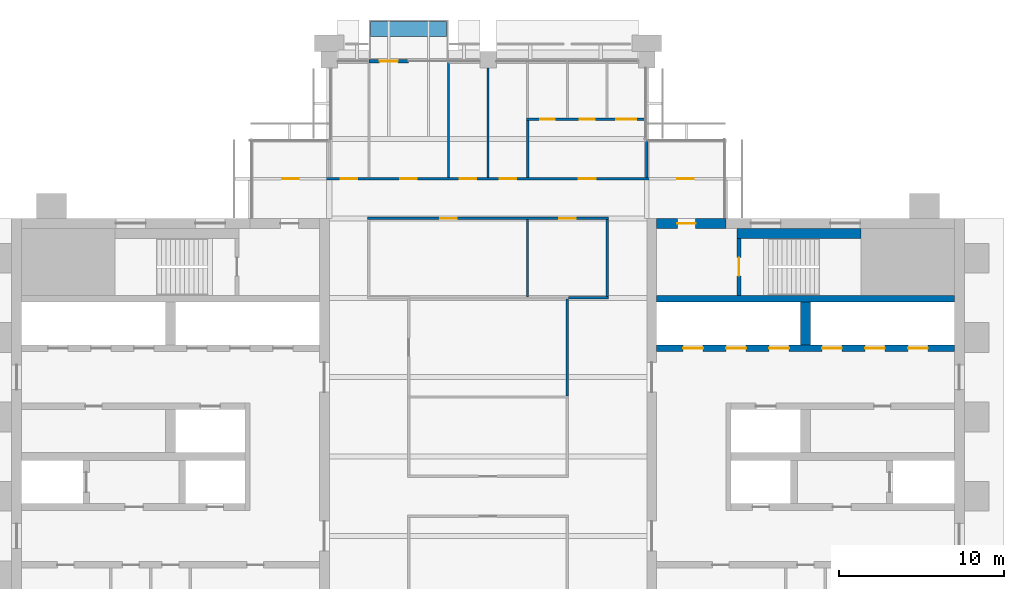
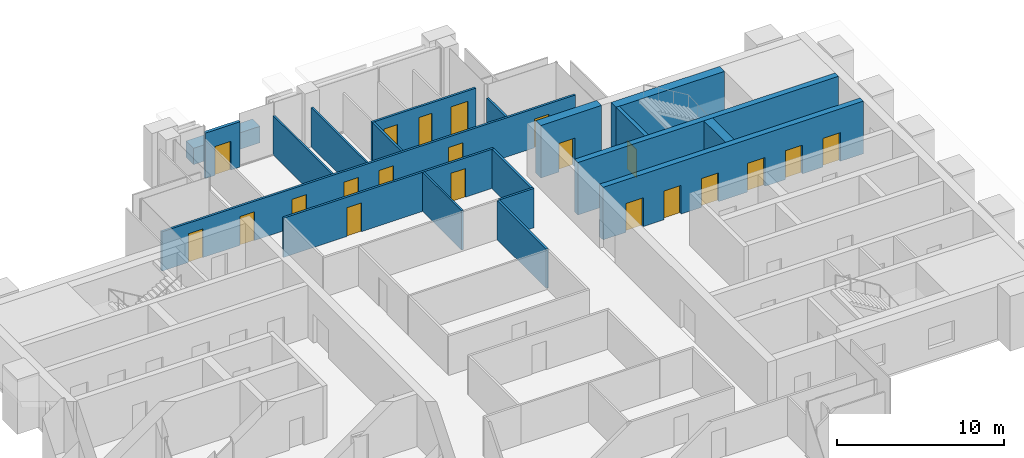
# One storey, part 11 of 13: 21 doors, 19 walls, 21 openings.
"""IFC4 building model written with IfcOpenShell, lengths in metres."""

from ifc_helpers import new_model, si_unit, direction, frame, frame_2d, origin, place, context, subcontext, project, spatial, rectangle, extrude, material, layer, layer_set, type_object, element, fill, save


model = new_model("IFC4")

# Units and contexts
model_context = context("Model", 3, precision=1e-05, world=origin(), true_north=direction((0.0, 1.0)))
body_context = subcontext(model_context, "Body", "Model", "MODEL_VIEW")
ifc_project = project(units=[si_unit("LENGTHUNIT", "METRE"), si_unit("AREAUNIT", "SQUARE_METRE"), si_unit("VOLUMEUNIT", "CUBIC_METRE"), si_unit("PLANEANGLEUNIT", "RADIAN"), si_unit("MASSUNIT", "GRAM", prefix="KILO")], contexts=[model_context])

# Site, building, storey
site_placement = place(None, origin())
site = spatial("IfcSite", under=ifc_project, at=site_placement, CompositionType="ELEMENT")
building_placement = place(site_placement, origin())
building = spatial("IfcBuilding", under=site, at=building_placement, Name="Baori Bourse Tower", CompositionType="ELEMENT")
storey_placement = place(building_placement, frame((0.0, 0.0, 314.300048828125)))
storey = spatial("IfcBuildingStorey", under=building, at=storey_placement, Name="L69", CompositionType="ELEMENT", Elevation=314.300048828125)

# Wall, opening, door
ifc_material_1 = material(Name="Concrete f'c 40 MPa", Category="concrete")
ifc_layer_1 = layer(ifc_material_1, 0.60009765625)
ifc_layer_set_1 = layer_set([ifc_layer_1], Name="Core wall 600 f'c 40")
wall_type_1 = type_object("IfcWallType", Name="Core wall 600 f'c 40", PredefinedType="SHEAR", material=ifc_layer_set_1)
wall_1_placement = place(storey_placement, frame((39.0, 38.10009765625, 0.0), z_axis=(0.0, 0.0, 1.0), x_axis=(1.0, 0.0, 0.0)))
wall_1 = element("IfcWall", 1, at=wall_1_placement, inside=storey, type_object=wall_type_1, Name="Core wall E27", PredefinedType="SHEAR", context=body_context, shape_type="SweptSolid", body=[
    extrude(rectangle(XDim=4.199951171875, YDim=0.60009765625, at=frame_2d((2.10009765625, 0.0))), origin(), (0.0, 0.0, 1.0), 3.83984375),
])
opening_1_placement = place(wall_1_placement, frame((1.25, 0.0, 0.0)))
opening_1 = element("IfcOpeningElement", 2, at=opening_1_placement, cuts=wall_1, Name="Opening L69-D204", PredefinedType="OPENING", context=body_context, shape_type="SweptSolid", body=[
    extrude(rectangle(XDim=1.10009765625, YDim=2.10009765625, at=frame_2d((0.550048828125, 1.050048828125))), frame((0.0, 0.31005859375, 0.0), z_axis=(0.0, -1.0, 0.0), x_axis=(1.0, 0.0, 0.0)), (0.0, 0.0, 1.0), 0.6201171875),
])
ifc_material_2 = material(Name="Painted steel door", Category="steel")
door_type_1 = type_object("IfcDoorType", Name="Stair door 1100", OperationType="SINGLE_SWING_LEFT", PredefinedType="DOOR", material=ifc_material_2)
door_1_placement = place(opening_1_placement, origin())
door_1 = element("IfcDoor", 3, at=door_1_placement, inside=storey, type_object=door_type_1, Name="Stair vestibule door B E L69", OperationType="SINGLE_SWING_LEFT", OverallHeight=2.10009765625, OverallWidth=1.10009765625, PredefinedType="DOOR", context=body_context, shape_type="SweptSolid", body=[
    extrude(rectangle(XDim=1.10009765625, YDim=2.10009765625, at=frame_2d((0.550048828125, 1.050048828125))), frame((0.0, 0.02490234375, 0.0), z_axis=(0.0, -1.0, 0.0), x_axis=(1.0, 0.0, 0.0)), (0.0, 0.0, 1.0), 0.050048828125),
])
fill(opening_1, door_1)

# Wall
ifc_material_3 = material(Name="Gypsum board partition")
ifc_layer_2 = layer(ifc_material_3, 0.14990234375)
ifc_layer_set_2 = layer_set([ifc_layer_2], Name="Corridor partition 150")
wall_type_2 = type_object("IfcWallType", Name="Corridor partition 150", PredefinedType="PARTITIONING", material=ifc_layer_set_2)
wall_2_placement = place(storey_placement, frame((33.675048828125, 33.60009765625, 0.0), z_axis=(0.0, 0.0, 1.0), x_axis=(1.0, 0.0, 0.0)))
element("IfcWall", 4, at=wall_2_placement, inside=storey, type_object=wall_type_2, Name="Partition", PredefinedType="PARTITIONING", context=body_context, shape_type="SweptSolid", body=[
    extrude(rectangle(XDim=2.39990234375, YDim=0.14990234375, at=frame_2d((1.199951171875, 0.0))), origin(), (0.0, 0.0, 1.0), 2.86962890625),
])

# Wall, openings, doors
wall_3_placement = place(storey_placement, frame((21.52490234375, 38.39990234375, 0.0), z_axis=(0.0, 0.0, 1.0), x_axis=(1.0, 0.0, 0.0)))
wall_3 = element("IfcWall", 5, at=wall_3_placement, inside=storey, type_object=wall_type_2, Name="Partition", PredefinedType="PARTITIONING", context=body_context, shape_type="SweptSolid", body=[
    extrude(rectangle(XDim=14.550048828125, YDim=0.14990234375, at=frame_2d((7.27490234375, 0.0))), origin(), (0.0, 0.0, 1.0), 2.86962890625),
])
opening_2_placement = place(wall_3_placement, frame((4.375, 0.0, 0.0)))
opening_2 = element("IfcOpeningElement", 6, at=opening_2_placement, cuts=wall_3, Name="Opening L69-D11", PredefinedType="OPENING", context=body_context, shape_type="SweptSolid", body=[
    extrude(rectangle(XDim=1.0, YDim=2.10009765625, at=frame_2d((0.5, 1.050048828125))), frame((0.0, 0.0849609375, 0.0), z_axis=(0.0, -1.0, 0.0), x_axis=(1.0, 0.0, 0.0)), (0.0, 0.0, 1.0), 0.169921875),
])
opening_3_placement = place(wall_3_placement, frame((11.574951171875, 0.0, 0.0)))
opening_3 = element("IfcOpeningElement", 7, at=opening_3_placement, cuts=wall_3, Name="Opening L69-D12", PredefinedType="OPENING", context=body_context, shape_type="SweptSolid", body=[
    extrude(rectangle(XDim=1.0, YDim=2.10009765625, at=frame_2d((0.5, 1.050048828125))), frame((0.0, 0.0849609375, 0.0), z_axis=(0.0, -1.0, 0.0), x_axis=(1.0, 0.0, 0.0)), (0.0, 0.0, 1.0), 0.169921875),
])
ifc_material_4 = material(Name="Timber door leaf", Category="wood")
door_type_2 = type_object("IfcDoorType", Name="Door 1000 x 2100", OperationType="SINGLE_SWING_LEFT", PredefinedType="DOOR", material=ifc_material_4)
door_2_placement = place(opening_2_placement, origin())
door_2 = element("IfcDoor", 8, at=door_2_placement, inside=storey, type_object=door_type_2, Name="Door", OperationType="SINGLE_SWING_LEFT", OverallHeight=2.10009765625, OverallWidth=1.0, PredefinedType="DOOR", context=body_context, shape_type="SweptSolid", body=[
    extrude(rectangle(XDim=1.0, YDim=2.10009765625, at=frame_2d((0.5, 1.050048828125))), frame((0.0, 0.02490234375, 0.0), z_axis=(0.0, -1.0, 0.0), x_axis=(1.0, 0.0, 0.0)), (0.0, 0.0, 1.0), 0.050048828125),
])
fill(opening_2, door_2)
door_3_placement = place(opening_3_placement, origin())
door_3 = element("IfcDoor", 9, at=door_3_placement, inside=storey, type_object=door_type_2, Name="Door", OperationType="SINGLE_SWING_RIGHT", OverallHeight=2.10009765625, OverallWidth=1.0, PredefinedType="DOOR", context=body_context, shape_type="SweptSolid", body=[
    extrude(rectangle(XDim=1.0, YDim=2.10009765625, at=frame_2d((0.5, 1.050048828125))), frame((0.0, 0.02490234375, 0.0), z_axis=(0.0, -1.0, 0.0), x_axis=(1.0, 0.0, 0.0)), (0.0, 0.0, 1.0), 0.050048828125),
])
fill(opening_3, door_3)

wall_4_placement = place(storey_placement, frame((14.5, 40.800048828125, 0.0), z_axis=(0.0, 0.0, 1.0), x_axis=(1.0, 0.0, 0.0)))
wall_4 = element("IfcWall", 10, at=wall_4_placement, inside=storey, type_object=wall_type_2, Name="Partition", PredefinedType="PARTITIONING", context=body_context, shape_type="SweptSolid", body=[
    extrude(rectangle(XDim=28.60009765625, YDim=0.14990234375, at=frame_2d((14.300048828125, 0.0))), origin(), (0.0, 0.0, 1.0), 2.86962890625),
])
opening_4_placement = place(wall_4_placement, frame((1.85009765625, 0.0, 0.0)))
opening_4 = element("IfcOpeningElement", 11, at=opening_4_placement, cuts=wall_4, Name="Opening L69-D13", PredefinedType="OPENING", context=body_context, shape_type="SweptSolid", body=[
    extrude(rectangle(XDim=1.0, YDim=2.10009765625, at=frame_2d((0.5, 1.050048828125))), frame((0.0, 0.0849609375, 0.0), z_axis=(0.0, -1.0, 0.0), x_axis=(1.0, 0.0, 0.0)), (0.0, 0.0, 1.0), 0.169921875),
])
opening_5_placement = place(wall_4_placement, frame((5.39990234375, 0.0, 0.0)))
opening_5 = element("IfcOpeningElement", 12, at=opening_5_placement, cuts=wall_4, Name="Opening L69-D14", PredefinedType="OPENING", context=body_context, shape_type="SweptSolid", body=[
    extrude(rectangle(XDim=1.0, YDim=2.10009765625, at=frame_2d((0.5, 1.050048828125))), frame((0.0, 0.0849609375, 0.0), z_axis=(0.0, -1.0, 0.0), x_axis=(1.0, 0.0, 0.0)), (0.0, 0.0, 1.0), 0.169921875),
])
opening_6_placement = place(wall_4_placement, frame((9.0, 0.0, 0.0)))
opening_6 = element("IfcOpeningElement", 13, at=opening_6_placement, cuts=wall_4, Name="Opening L69-D15", PredefinedType="OPENING", context=body_context, shape_type="SweptSolid", body=[
    extrude(rectangle(XDim=1.0, YDim=2.10009765625, at=frame_2d((0.5, 1.050048828125))), frame((0.0, 0.0849609375, 0.0), z_axis=(0.0, -1.0, 0.0), x_axis=(1.0, 0.0, 0.0)), (0.0, 0.0, 1.0), 0.169921875),
])
opening_7_placement = place(wall_4_placement, frame((12.60009765625, 0.0, 0.0)))
opening_7 = element("IfcOpeningElement", 14, at=opening_7_placement, cuts=wall_4, Name="Opening L69-D16", PredefinedType="OPENING", context=body_context, shape_type="SweptSolid", body=[
    extrude(rectangle(XDim=1.0, YDim=2.10009765625, at=frame_2d((0.5, 1.050048828125))), frame((0.0, 0.0849609375, 0.0), z_axis=(0.0, -1.0, 0.0), x_axis=(1.0, 0.0, 0.0)), (0.0, 0.0, 1.0), 0.169921875),
])
opening_8_placement = place(wall_4_placement, frame((15.0, 0.0, 0.0)))
opening_8 = element("IfcOpeningElement", 15, at=opening_8_placement, cuts=wall_4, Name="Opening L69-D17", PredefinedType="OPENING", context=body_context, shape_type="SweptSolid", body=[
    extrude(rectangle(XDim=1.0, YDim=2.10009765625, at=frame_2d((0.5, 1.050048828125))), frame((0.0, 0.0849609375, 0.0), z_axis=(0.0, -1.0, 0.0), x_axis=(1.0, 0.0, 0.0)), (0.0, 0.0, 1.0), 0.169921875),
])
opening_9_placement = place(wall_4_placement, frame((19.800048828125, 0.0, 0.0)))
opening_9 = element("IfcOpeningElement", 16, at=opening_9_placement, cuts=wall_4, Name="Opening L69-D18", PredefinedType="OPENING", context=body_context, shape_type="SweptSolid", body=[
    extrude(rectangle(XDim=1.0, YDim=2.10009765625, at=frame_2d((0.5, 1.050048828125))), frame((0.0, 0.0849609375, 0.0), z_axis=(0.0, -1.0, 0.0), x_axis=(1.0, 0.0, 0.0)), (0.0, 0.0, 1.0), 0.169921875),
])
opening_10_placement = place(wall_4_placement, frame((25.75, 0.0, 0.0)))
opening_10 = element("IfcOpeningElement", 17, at=opening_10_placement, cuts=wall_4, Name="Opening L69-D19", PredefinedType="OPENING", context=body_context, shape_type="SweptSolid", body=[
    extrude(rectangle(XDim=1.0, YDim=2.10009765625, at=frame_2d((0.5, 1.050048828125))), frame((0.0, 0.0849609375, 0.0), z_axis=(0.0, -1.0, 0.0), x_axis=(1.0, 0.0, 0.0)), (0.0, 0.0, 1.0), 0.169921875),
])
door_4_placement = place(opening_4_placement, origin())
door_4 = element("IfcDoor", 18, at=door_4_placement, inside=storey, type_object=door_type_2, Name="Door", OperationType="SINGLE_SWING_RIGHT", OverallHeight=2.10009765625, OverallWidth=1.0, PredefinedType="DOOR", context=body_context, shape_type="SweptSolid", body=[
    extrude(rectangle(XDim=1.0, YDim=2.10009765625, at=frame_2d((0.5, 1.050048828125))), frame((0.0, 0.02490234375, 0.0), z_axis=(0.0, -1.0, 0.0), x_axis=(1.0, 0.0, 0.0)), (0.0, 0.0, 1.0), 0.050048828125),
])
fill(opening_4, door_4)
door_5_placement = place(opening_5_placement, origin())
door_5 = element("IfcDoor", 19, at=door_5_placement, inside=storey, type_object=door_type_2, Name="Door", OperationType="SINGLE_SWING_RIGHT", OverallHeight=2.10009765625, OverallWidth=1.0, PredefinedType="DOOR", context=body_context, shape_type="SweptSolid", body=[
    extrude(rectangle(XDim=1.0, YDim=2.10009765625, at=frame_2d((0.5, 1.050048828125))), frame((0.0, 0.02490234375, 0.0), z_axis=(0.0, -1.0, 0.0), x_axis=(1.0, 0.0, 0.0)), (0.0, 0.0, 1.0), 0.050048828125),
])
fill(opening_5, door_5)
door_6_placement = place(opening_6_placement, origin())
door_6 = element("IfcDoor", 20, at=door_6_placement, inside=storey, type_object=door_type_2, Name="Door", OperationType="SINGLE_SWING_RIGHT", OverallHeight=2.10009765625, OverallWidth=1.0, PredefinedType="DOOR", context=body_context, shape_type="SweptSolid", body=[
    extrude(rectangle(XDim=1.0, YDim=2.10009765625, at=frame_2d((0.5, 1.050048828125))), frame((0.0, 0.02490234375, 0.0), z_axis=(0.0, -1.0, 0.0), x_axis=(1.0, 0.0, 0.0)), (0.0, 0.0, 1.0), 0.050048828125),
])
fill(opening_6, door_6)
door_7_placement = place(opening_7_placement, origin())
door_7 = element("IfcDoor", 21, at=door_7_placement, inside=storey, type_object=door_type_2, Name="Door", OperationType="SINGLE_SWING_RIGHT", OverallHeight=2.10009765625, OverallWidth=1.0, PredefinedType="DOOR", context=body_context, shape_type="SweptSolid", body=[
    extrude(rectangle(XDim=1.0, YDim=2.10009765625, at=frame_2d((0.5, 1.050048828125))), frame((0.0, 0.02490234375, 0.0), z_axis=(0.0, -1.0, 0.0), x_axis=(1.0, 0.0, 0.0)), (0.0, 0.0, 1.0), 0.050048828125),
])
fill(opening_7, door_7)
door_8_placement = place(opening_8_placement, origin())
door_8 = element("IfcDoor", 22, at=door_8_placement, inside=storey, type_object=door_type_2, Name="Door", OperationType="SINGLE_SWING_LEFT", OverallHeight=2.10009765625, OverallWidth=1.0, PredefinedType="DOOR", context=body_context, shape_type="SweptSolid", body=[
    extrude(rectangle(XDim=1.0, YDim=2.10009765625, at=frame_2d((0.5, 1.050048828125))), frame((0.0, 0.02490234375, 0.0), z_axis=(0.0, -1.0, 0.0), x_axis=(1.0, 0.0, 0.0)), (0.0, 0.0, 1.0), 0.050048828125),
])
fill(opening_8, door_8)
door_9_placement = place(opening_9_placement, origin())
door_9 = element("IfcDoor", 23, at=door_9_placement, inside=storey, type_object=door_type_2, Name="Door", OperationType="SINGLE_SWING_RIGHT", OverallHeight=2.10009765625, OverallWidth=1.0, PredefinedType="DOOR", context=body_context, shape_type="SweptSolid", body=[
    extrude(rectangle(XDim=1.0, YDim=2.10009765625, at=frame_2d((0.5, 1.050048828125))), frame((0.0, 0.02490234375, 0.0), z_axis=(0.0, -1.0, 0.0), x_axis=(1.0, 0.0, 0.0)), (0.0, 0.0, 1.0), 0.050048828125),
])
fill(opening_9, door_9)
door_10_placement = place(opening_10_placement, origin())
door_10 = element("IfcDoor", 24, at=door_10_placement, inside=storey, type_object=door_type_2, Name="Door", OperationType="SINGLE_SWING_LEFT", OverallHeight=2.10009765625, OverallWidth=1.0, PredefinedType="DOOR", context=body_context, shape_type="SweptSolid", body=[
    extrude(rectangle(XDim=1.0, YDim=2.10009765625, at=frame_2d((0.5, 1.050048828125))), frame((0.0, 0.02490234375, 0.0), z_axis=(0.0, -1.0, 0.0), x_axis=(1.0, 0.0, 0.0)), (0.0, 0.0, 1.0), 0.050048828125),
])
fill(opening_10, door_10)

wall_5_placement = place(storey_placement, frame((31.125, 44.39990234375, 0.0), z_axis=(0.0, 0.0, 1.0), x_axis=(1.0, 0.0, 0.0)))
wall_5 = element("IfcWall", 25, at=wall_5_placement, inside=storey, type_object=wall_type_2, Name="Partition", PredefinedType="PARTITIONING", context=body_context, shape_type="SweptSolid", body=[
    extrude(rectangle(XDim=7.175048828125, YDim=0.14990234375, at=frame_2d((3.58740234375, 0.0))), origin(), (0.0, 0.0, 1.0), 2.86962890625),
])
opening_11_placement = place(wall_5_placement, frame((0.824951171875, 0.0, 0.0)))
opening_11 = element("IfcOpeningElement", 26, at=opening_11_placement, cuts=wall_5, Name="Opening L69-D20", PredefinedType="OPENING", context=body_context, shape_type="SweptSolid", body=[
    extrude(rectangle(XDim=0.89990234375, YDim=2.10009765625, at=frame_2d((0.449951171875, 1.050048828125))), frame((0.0, 0.0849609375, 0.0), z_axis=(0.0, -1.0, 0.0), x_axis=(1.0, 0.0, 0.0)), (0.0, 0.0, 1.0), 0.169921875),
])
opening_12_placement = place(wall_5_placement, frame((3.22509765625, 0.0, 0.0)))
opening_12 = element("IfcOpeningElement", 27, at=opening_12_placement, cuts=wall_5, Name="Opening L69-D21", PredefinedType="OPENING", context=body_context, shape_type="SweptSolid", body=[
    extrude(rectangle(XDim=0.89990234375, YDim=2.10009765625, at=frame_2d((0.449951171875, 1.050048828125))), frame((0.0, 0.0849609375, 0.0), z_axis=(0.0, -1.0, 0.0), x_axis=(1.0, 0.0, 0.0)), (0.0, 0.0, 1.0), 0.169921875),
])
opening_13_placement = place(wall_5_placement, frame((5.425048828125, 0.0, 0.0)))
opening_13 = element("IfcOpeningElement", 28, at=opening_13_placement, cuts=wall_5, Name="Opening L69-D22", PredefinedType="OPENING", context=body_context, shape_type="SweptSolid", body=[
    extrude(rectangle(XDim=1.199951171875, YDim=2.10009765625, at=frame_2d((0.60009765625, 1.050048828125))), frame((0.0, 0.0849609375, 0.0), z_axis=(0.0, -1.0, 0.0), x_axis=(1.0, 0.0, 0.0)), (0.0, 0.0, 1.0), 0.169921875),
])
ifc_material_5 = material(Name="Timber door leaf", Category="wood")
door_type_3 = type_object("IfcDoorType", Name="Door 1200 x 2100", OperationType="SINGLE_SWING_LEFT", PredefinedType="DOOR", material=ifc_material_5)
door_11_placement = place(opening_13_placement, origin())
door_11 = element("IfcDoor", 29, at=door_11_placement, inside=storey, type_object=door_type_3, Name="Door", OperationType="SINGLE_SWING_LEFT", OverallHeight=2.10009765625, OverallWidth=1.199951171875, PredefinedType="DOOR", context=body_context, shape_type="SweptSolid", body=[
    extrude(rectangle(XDim=1.199951171875, YDim=2.10009765625, at=frame_2d((0.60009765625, 1.050048828125))), frame((0.0, 0.02490234375, 0.0), z_axis=(0.0, -1.0, 0.0), x_axis=(1.0, 0.0, 0.0)), (0.0, 0.0, 1.0), 0.050048828125),
])
fill(opening_13, door_11)
ifc_material_6 = material(Name="Timber door leaf", Category="wood")
door_type_4 = type_object("IfcDoorType", Name="Door 900 x 2100", OperationType="SINGLE_SWING_LEFT", PredefinedType="DOOR", material=ifc_material_6)
door_12_placement = place(opening_11_placement, origin())
door_12 = element("IfcDoor", 30, at=door_12_placement, inside=storey, type_object=door_type_4, Name="Door", OperationType="SINGLE_SWING_RIGHT", OverallHeight=2.10009765625, OverallWidth=0.89990234375, PredefinedType="DOOR", context=body_context, shape_type="SweptSolid", body=[
    extrude(rectangle(XDim=0.89990234375, YDim=2.10009765625, at=frame_2d((0.449951171875, 1.050048828125))), frame((0.0, 0.02490234375, 0.0), z_axis=(0.0, -1.0, 0.0), x_axis=(1.0, 0.0, 0.0)), (0.0, 0.0, 1.0), 0.050048828125),
])
fill(opening_11, door_12)
door_13_placement = place(opening_12_placement, origin())
door_13 = element("IfcDoor", 31, at=door_13_placement, inside=storey, type_object=door_type_4, Name="Door", OperationType="SINGLE_SWING_LEFT", OverallHeight=2.10009765625, OverallWidth=0.89990234375, PredefinedType="DOOR", context=body_context, shape_type="SweptSolid", body=[
    extrude(rectangle(XDim=0.89990234375, YDim=2.10009765625, at=frame_2d((0.449951171875, 1.050048828125))), frame((0.0, 0.02490234375, 0.0), z_axis=(0.0, -1.0, 0.0), x_axis=(1.0, 0.0, 0.0)), (0.0, 0.0, 1.0), 0.050048828125),
])
fill(opening_12, door_13)

# Walls
wall_6_placement = place(storey_placement, frame((31.199951171875, 40.875, 0.0), z_axis=(0.0, 0.0, 1.0), x_axis=(0.0, 1.0, 0.0)))
element("IfcWall", 32, at=wall_6_placement, inside=storey, type_object=wall_type_2, Name="Partition", PredefinedType="PARTITIONING", context=body_context, shape_type="SweptSolid", body=[
    extrude(rectangle(XDim=3.449951171875, YDim=0.14990234375, at=frame_2d((1.72509765625, 0.0))), origin(), (0.0, 0.0, 1.0), 2.86962890625),
])
wall_7_placement = place(storey_placement, frame((33.60009765625, 27.66259765625, 0.0), z_axis=(0.0, 0.0, 1.0), x_axis=(0.0, 1.0, 0.0)))
element("IfcWall", 33, at=wall_7_placement, inside=storey, type_object=wall_type_2, Name="Partition", PredefinedType="PARTITIONING", context=body_context, shape_type="SweptSolid", body=[
    extrude(rectangle(XDim=5.8623046875, YDim=0.14990234375, at=frame_2d((2.93115234375, 0.0))), origin(), (0.0, 0.0, 1.0), 2.86962890625),
])
wall_8_placement = place(storey_placement, frame((36.0, 33.675048828125, 0.0), z_axis=(0.0, 0.0, 1.0), x_axis=(0.0, 1.0, 0.0)))
element("IfcWall", 34, at=wall_8_placement, inside=storey, type_object=wall_type_2, Name="Partition", PredefinedType="PARTITIONING", context=body_context, shape_type="SweptSolid", body=[
    extrude(rectangle(XDim=4.64990234375, YDim=0.14990234375, at=frame_2d((2.324951171875, 0.0))), origin(), (0.0, 0.0, 1.0), 2.86962890625),
])
wall_9_placement = place(storey_placement, frame((38.39990234375, 40.875, 0.0), z_axis=(0.0, 0.0, 1.0), x_axis=(0.0, 1.0, 0.0)))
element("IfcWall", 35, at=wall_9_placement, inside=storey, type_object=wall_type_2, Name="Partition", PredefinedType="PARTITIONING", context=body_context, shape_type="SweptSolid", body=[
    extrude(rectangle(XDim=2.22509765625, YDim=0.14990234375, at=frame_2d((1.112548828125, 0.0))), origin(), (0.0, 0.0, 1.0), 2.86962890625),
])

# Wall, opening, door
ifc_material_7 = material(Name="Pale anodised aluminium", Category="aluminium")
ifc_layer_3 = layer(ifc_material_7, 0.199951171875)
ifc_layer_set_3 = layer_set([ifc_layer_3], Name="EW1 External wall bay")
wall_type_3 = type_object("IfcWallType", Name="EW1 External wall bay", PredefinedType="SOLIDWALL", material=ifc_layer_set_3)
wall_10_placement = place(storey_placement, frame((24.0, 47.89990234375, 0.0), z_axis=(0.0, 0.0, 1.0), x_axis=(-1.0, 0.0, 0.0)))
wall_10 = element("IfcWall", 36, at=wall_10_placement, inside=storey, type_object=wall_type_3, Name="External wall bay L69 1", PredefinedType="SOLIDWALL", context=body_context, shape_type="SweptSolid", body=[
    extrude(rectangle(XDim=2.39990234375, YDim=0.199951171875, at=frame_2d((1.199951171875, 0.0))), origin(), (0.0, 0.0, 1.0), 3.314208984375),
])
opening_14_placement = place(wall_10_placement, frame((0.64990234375, 0.0, 0.0)))
opening_14 = element("IfcOpeningElement", 37, at=opening_14_placement, cuts=wall_10, Name="Opening L69-D91", PredefinedType="OPENING", context=body_context, shape_type="SweptSolid", body=[
    extrude(rectangle(XDim=1.10009765625, YDim=2.10009765625, at=frame_2d((0.550048828125, 1.050048828125))), frame((0.0, 0.10986328125, 0.0), z_axis=(0.0, -1.0, 0.0), x_axis=(1.0, 0.0, 0.0)), (0.0, 0.0, 1.0), 0.219970703125),
])
ifc_material_8 = material(Name="Pale anodised aluminium", Category="aluminium")
door_type_5 = type_object("IfcDoorType", Name="BL1 Balcony door", OperationType="SINGLE_SWING_LEFT", PredefinedType="DOOR", material=ifc_material_8)
door_14_placement = place(opening_14_placement, origin())
door_14 = element("IfcDoor", 38, at=door_14_placement, inside=storey, type_object=door_type_5, Name="Balcony door L69 1", OperationType="SINGLE_SWING_LEFT", OverallHeight=2.10009765625, OverallWidth=1.10009765625, PredefinedType="DOOR", context=body_context, shape_type="SweptSolid", body=[
    extrude(rectangle(XDim=1.10009765625, YDim=2.10009765625, at=frame_2d((0.550048828125, 1.050048828125))), frame((0.0, 0.02490234375, 0.0), z_axis=(0.0, -1.0, 0.0), x_axis=(1.0, 0.0, 0.0)), (0.0, 0.0, 1.0), 0.050048828125),
])
fill(opening_14, door_14)

# Walls
ifc_material_9 = material(Name="Concrete f'c 40 MPa", Category="concrete")
ifc_layer_4 = layer(ifc_material_9, 0.89990234375)
ifc_layer_set_4 = layer_set([ifc_layer_4], Name="PW1 Planter wall")
wall_type_4 = type_object("IfcWallType", Name="PW1 Planter wall", PredefinedType="USERDEFINED", material=ifc_layer_set_4)
wall_11_placement = place(storey_placement, frame((21.699951171875, 49.85009765625, 0.0), z_axis=(0.0, 0.0, 1.0), x_axis=(1.0, 0.0, 0.0)))
element("IfcWall", 39, at=wall_11_placement, inside=storey, type_object=wall_type_4, Name="Planter balcony N L69 2", ObjectType="PLANTER", PredefinedType="USERDEFINED", context=body_context, shape_type="SweptSolid", body=[
    extrude(rectangle(XDim=4.60009765625, YDim=0.89990234375, at=frame_2d((2.300048828125, 0.0))), origin(), (0.0, 0.0, 1.0), 1.199951171875),
])
ifc_material_10 = material(Name="Gypsum board partition")
ifc_layer_5 = layer(ifc_material_10, 0.125)
ifc_layer_set_5 = layer_set([ifc_layer_5], Name="Partition 125")
wall_type_5 = type_object("IfcWallType", Name="Partition 125", PredefinedType="PARTITIONING", material=ifc_layer_set_5)
wall_12_placement = place(storey_placement, frame((26.39990234375, 40.875, 0.0), z_axis=(0.0, 0.0, 1.0), x_axis=(0.0, 1.0, 0.0)))
element("IfcWall", 40, at=wall_12_placement, inside=storey, type_object=wall_type_5, Name="Partition", PredefinedType="PARTITIONING", context=body_context, shape_type="SweptSolid", body=[
    extrude(rectangle(XDim=7.02490234375, YDim=0.125, at=frame_2d((3.512451171875, 0.0))), origin(), (0.0, 0.0, 1.0), 2.86962890625),
])
wall_13_placement = place(storey_placement, frame((28.800048828125, 40.875, 0.0), z_axis=(0.0, 0.0, 1.0), x_axis=(0.0, 1.0, 0.0)))
element("IfcWall", 41, at=wall_13_placement, inside=storey, type_object=wall_type_5, Name="Partition", PredefinedType="PARTITIONING", context=body_context, shape_type="SweptSolid", body=[
    extrude(rectangle(XDim=6.625, YDim=0.125, at=frame_2d((3.3125, 0.0))), origin(), (0.0, 0.0, 1.0), 2.86962890625),
])
wall_14_placement = place(storey_placement, frame((31.199951171875, 33.66259765625, 0.0), z_axis=(0.0, 0.0, 1.0), x_axis=(0.0, 1.0, 0.0)))
element("IfcWall", 42, at=wall_14_placement, inside=storey, type_object=wall_type_5, Name="Partition", PredefinedType="PARTITIONING", context=body_context, shape_type="SweptSolid", body=[
    extrude(rectangle(XDim=4.662353515625, YDim=0.125, at=frame_2d((2.3310546875, 0.0))), origin(), (0.0, 0.0, 1.0), 2.86962890625),
])

# Wall, opening, door
ifc_material_11 = material(Name="Concrete f'c 40 MPa", Category="concrete")
ifc_layer_6 = layer(ifc_material_11, 0.25)
ifc_layer_set_6 = layer_set([ifc_layer_6], Name="Shaft wall 250 f'c 40")
wall_type_6 = type_object("IfcWallType", Name="Shaft wall 250 f'c 40", PredefinedType="SHEAR", material=ifc_layer_set_6)
wall_15_placement = place(storey_placement, frame((43.97509765625, 33.75, 0.0), z_axis=(0.0, 0.0, 1.0), x_axis=(0.0, 1.0, 0.0)))
wall_15 = element("IfcWall", 43, at=wall_15_placement, inside=storey, type_object=wall_type_6, Name="Core wall E24", PredefinedType="SHEAR", context=body_context, shape_type="SweptSolid", body=[
    extrude(rectangle(XDim=3.449951171875, YDim=0.25, at=frame_2d((1.72509765625, 0.0))), origin(), (0.0, 0.0, 1.0), 3.83984375),
])
opening_15_placement = place(wall_15_placement, frame((1.175048828125, 0.0, 0.0)))
opening_15 = element("IfcOpeningElement", 44, at=opening_15_placement, cuts=wall_15, Name="Opening L69-D203", PredefinedType="OPENING", context=body_context, shape_type="SweptSolid", body=[
    extrude(rectangle(XDim=1.10009765625, YDim=2.10009765625, at=frame_2d((0.550048828125, 1.050048828125))), frame((0.0, 0.135009765625, 0.0), z_axis=(0.0, -1.0, 0.0), x_axis=(1.0, 0.0, 0.0)), (0.0, 0.0, 1.0), 0.27001953125),
])
door_15_placement = place(opening_15_placement, origin())
door_15 = element("IfcDoor", 45, at=door_15_placement, inside=storey, type_object=door_type_1, Name="Stair door B E L69", OperationType="SINGLE_SWING_LEFT", OverallHeight=2.10009765625, OverallWidth=1.10009765625, PredefinedType="DOOR", context=body_context, shape_type="SweptSolid", body=[
    extrude(rectangle(XDim=1.10009765625, YDim=2.10009765625, at=frame_2d((0.550048828125, 1.050048828125))), frame((0.0, 0.02490234375, 0.0), z_axis=(0.0, -1.0, 0.0), x_axis=(1.0, 0.0, 0.0)), (0.0, 0.0, 1.0), 0.050048828125),
])
fill(opening_15, door_15)

# Wall, openings, doors
ifc_material_12 = material(Name="Concrete f'c 40 MPa", Category="concrete")
ifc_layer_7 = layer(ifc_material_12, 0.39990234375)
ifc_layer_set_7 = layer_set([ifc_layer_7], Name="Shaft wall 400 f'c 40")
wall_type_7 = type_object("IfcWallType", Name="Shaft wall 400 f'c 40", PredefinedType="SHEAR", material=ifc_layer_set_7)
wall_16_placement = place(storey_placement, frame((39.0, 30.550048828125, 0.0), z_axis=(0.0, 0.0, 1.0), x_axis=(1.0, 0.0, 0.0)))
wall_16 = element("IfcWall", 46, at=wall_16_placement, inside=storey, type_object=wall_type_7, Name="Core wall E20", PredefinedType="SHEAR", context=body_context, shape_type="SweptSolid", body=[
    extrude(rectangle(XDim=18.0, YDim=0.39990234375, at=frame_2d((9.0, 0.0))), origin(), (0.0, 0.0, 1.0), 3.83984375),
])
opening_16_placement = place(wall_16_placement, frame((15.199951171875, 0.0, 0.0)))
opening_16 = element("IfcOpeningElement", 47, at=opening_16_placement, cuts=wall_16, Name="Opening L69-D214", PredefinedType="OPENING", context=body_context, shape_type="SweptSolid", body=[
    extrude(rectangle(XDim=1.199951171875, YDim=2.10009765625, at=frame_2d((0.60009765625, 1.050048828125))), frame((0.0, 0.2099609375, 0.0), z_axis=(0.0, -1.0, 0.0), x_axis=(1.0, 0.0, 0.0)), (0.0, 0.0, 1.0), 0.419921875),
])
opening_17_placement = place(wall_16_placement, frame((12.60009765625, 0.0, 0.0)))
opening_17 = element("IfcOpeningElement", 48, at=opening_17_placement, cuts=wall_16, Name="Opening L69-D215", PredefinedType="OPENING", context=body_context, shape_type="SweptSolid", body=[
    extrude(rectangle(XDim=1.199951171875, YDim=2.10009765625, at=frame_2d((0.60009765625, 1.050048828125))), frame((0.0, 0.2099609375, 0.0), z_axis=(0.0, -1.0, 0.0), x_axis=(1.0, 0.0, 0.0)), (0.0, 0.0, 1.0), 0.419921875),
])
opening_18_placement = place(wall_16_placement, frame((10.0, 0.0, 0.0)))
opening_18 = element("IfcOpeningElement", 49, at=opening_18_placement, cuts=wall_16, Name="Opening L69-D216", PredefinedType="OPENING", context=body_context, shape_type="SweptSolid", body=[
    extrude(rectangle(XDim=1.199951171875, YDim=2.10009765625, at=frame_2d((0.60009765625, 1.050048828125))), frame((0.0, 0.2099609375, 0.0), z_axis=(0.0, -1.0, 0.0), x_axis=(1.0, 0.0, 0.0)), (0.0, 0.0, 1.0), 0.419921875),
])
opening_19_placement = place(wall_16_placement, frame((6.800048828125, 0.0, 0.0)))
opening_19 = element("IfcOpeningElement", 50, at=opening_19_placement, cuts=wall_16, Name="Opening L69-D217", PredefinedType="OPENING", context=body_context, shape_type="SweptSolid", body=[
    extrude(rectangle(XDim=1.199951171875, YDim=2.10009765625, at=frame_2d((0.60009765625, 1.050048828125))), frame((0.0, 0.2099609375, 0.0), z_axis=(0.0, -1.0, 0.0), x_axis=(1.0, 0.0, 0.0)), (0.0, 0.0, 1.0), 0.419921875),
])
opening_20_placement = place(wall_16_placement, frame((4.199951171875, 0.0, 0.0)))
opening_20 = element("IfcOpeningElement", 51, at=opening_20_placement, cuts=wall_16, Name="Opening L69-D218", PredefinedType="OPENING", context=body_context, shape_type="SweptSolid", body=[
    extrude(rectangle(XDim=1.199951171875, YDim=2.10009765625, at=frame_2d((0.60009765625, 1.050048828125))), frame((0.0, 0.2099609375, 0.0), z_axis=(0.0, -1.0, 0.0), x_axis=(1.0, 0.0, 0.0)), (0.0, 0.0, 1.0), 0.419921875),
])
opening_21_placement = place(wall_16_placement, frame((1.60009765625, 0.0, 0.0)))
opening_21 = element("IfcOpeningElement", 52, at=opening_21_placement, cuts=wall_16, Name="Opening L69-D219", PredefinedType="OPENING", context=body_context, shape_type="SweptSolid", body=[
    extrude(rectangle(XDim=1.199951171875, YDim=2.10009765625, at=frame_2d((0.60009765625, 1.050048828125))), frame((0.0, 0.2099609375, 0.0), z_axis=(0.0, -1.0, 0.0), x_axis=(1.0, 0.0, 0.0)), (0.0, 0.0, 1.0), 0.419921875),
])
ifc_material_13 = material(Name="Stainless steel door", Category="steel")
door_type_6 = type_object("IfcDoorType", Name="Lift landing door", OperationType="DOUBLE_DOOR_SLIDING", PredefinedType="DOOR", material=ifc_material_13)
door_16_placement = place(opening_16_placement, origin())
door_16 = element("IfcDoor", 53, at=door_16_placement, inside=storey, type_object=door_type_6, Name="Lift landing door HR1 E L69", OperationType="DOUBLE_DOOR_SLIDING", OverallHeight=2.10009765625, OverallWidth=1.199951171875, PredefinedType="DOOR", context=body_context, shape_type="SweptSolid", body=[
    extrude(rectangle(XDim=1.199951171875, YDim=2.10009765625, at=frame_2d((0.60009765625, 1.050048828125))), frame((0.0, 0.02490234375, 0.0), z_axis=(0.0, -1.0, 0.0), x_axis=(1.0, 0.0, 0.0)), (0.0, 0.0, 1.0), 0.050048828125),
])
fill(opening_16, door_16)
door_17_placement = place(opening_17_placement, origin())
door_17 = element("IfcDoor", 54, at=door_17_placement, inside=storey, type_object=door_type_6, Name="Lift landing door HR2 E L69", OperationType="DOUBLE_DOOR_SLIDING", OverallHeight=2.10009765625, OverallWidth=1.199951171875, PredefinedType="DOOR", context=body_context, shape_type="SweptSolid", body=[
    extrude(rectangle(XDim=1.199951171875, YDim=2.10009765625, at=frame_2d((0.60009765625, 1.050048828125))), frame((0.0, 0.02490234375, 0.0), z_axis=(0.0, -1.0, 0.0), x_axis=(1.0, 0.0, 0.0)), (0.0, 0.0, 1.0), 0.050048828125),
])
fill(opening_17, door_17)
door_18_placement = place(opening_18_placement, origin())
door_18 = element("IfcDoor", 55, at=door_18_placement, inside=storey, type_object=door_type_6, Name="Lift landing door HR3 E L69", OperationType="DOUBLE_DOOR_SLIDING", OverallHeight=2.10009765625, OverallWidth=1.199951171875, PredefinedType="DOOR", context=body_context, shape_type="SweptSolid", body=[
    extrude(rectangle(XDim=1.199951171875, YDim=2.10009765625, at=frame_2d((0.60009765625, 1.050048828125))), frame((0.0, 0.02490234375, 0.0), z_axis=(0.0, -1.0, 0.0), x_axis=(1.0, 0.0, 0.0)), (0.0, 0.0, 1.0), 0.050048828125),
])
fill(opening_18, door_18)
door_19_placement = place(opening_19_placement, origin())
door_19 = element("IfcDoor", 56, at=door_19_placement, inside=storey, type_object=door_type_6, Name="Lift landing door HR4 E L69", OperationType="DOUBLE_DOOR_SLIDING", OverallHeight=2.10009765625, OverallWidth=1.199951171875, PredefinedType="DOOR", context=body_context, shape_type="SweptSolid", body=[
    extrude(rectangle(XDim=1.199951171875, YDim=2.10009765625, at=frame_2d((0.60009765625, 1.050048828125))), frame((0.0, 0.02490234375, 0.0), z_axis=(0.0, -1.0, 0.0), x_axis=(1.0, 0.0, 0.0)), (0.0, 0.0, 1.0), 0.050048828125),
])
fill(opening_19, door_19)
door_20_placement = place(opening_20_placement, origin())
door_20 = element("IfcDoor", 57, at=door_20_placement, inside=storey, type_object=door_type_6, Name="Lift landing door HR5 E L69", OperationType="DOUBLE_DOOR_SLIDING", OverallHeight=2.10009765625, OverallWidth=1.199951171875, PredefinedType="DOOR", context=body_context, shape_type="SweptSolid", body=[
    extrude(rectangle(XDim=1.199951171875, YDim=2.10009765625, at=frame_2d((0.60009765625, 1.050048828125))), frame((0.0, 0.02490234375, 0.0), z_axis=(0.0, -1.0, 0.0), x_axis=(1.0, 0.0, 0.0)), (0.0, 0.0, 1.0), 0.050048828125),
])
fill(opening_20, door_20)
door_21_placement = place(opening_21_placement, origin())
door_21 = element("IfcDoor", 58, at=door_21_placement, inside=storey, type_object=door_type_6, Name="Lift landing door HR6 E L69", OperationType="DOUBLE_DOOR_SLIDING", OverallHeight=2.10009765625, OverallWidth=1.199951171875, PredefinedType="DOOR", context=body_context, shape_type="SweptSolid", body=[
    extrude(rectangle(XDim=1.199951171875, YDim=2.10009765625, at=frame_2d((0.60009765625, 1.050048828125))), frame((0.0, 0.02490234375, 0.0), z_axis=(0.0, -1.0, 0.0), x_axis=(1.0, 0.0, 0.0)), (0.0, 0.0, 1.0), 0.050048828125),
])
fill(opening_21, door_21)

# Walls
wall_17_placement = place(storey_placement, frame((39.0, 33.550048828125, 0.0), z_axis=(0.0, 0.0, 1.0), x_axis=(1.0, 0.0, 0.0)))
element("IfcWall", 59, at=wall_17_placement, inside=storey, type_object=wall_type_7, Name="Core wall E22", PredefinedType="SHEAR", context=body_context, shape_type="SweptSolid", body=[
    extrude(rectangle(XDim=18.0, YDim=0.39990234375, at=frame_2d((9.0, 0.0))), origin(), (0.0, 0.0, 1.0), 3.83984375),
])
ifc_material_14 = material(Name="Concrete f'c 40 MPa", Category="concrete")
ifc_layer_8 = layer(ifc_material_14, 0.60009765625)
ifc_layer_set_8 = layer_set([ifc_layer_8], Name="Shaft wall 600 f'c 40")
wall_type_8 = type_object("IfcWallType", Name="Shaft wall 600 f'c 40", PredefinedType="SHEAR", material=ifc_layer_set_8)
wall_18_placement = place(storey_placement, frame((48.0, 30.75, 0.0), z_axis=(0.0, 0.0, 1.0), x_axis=(0.0, 1.0, 0.0)))
element("IfcWall", 60, at=wall_18_placement, inside=storey, type_object=wall_type_8, Name="Core wall E21", PredefinedType="SHEAR", context=body_context, shape_type="SweptSolid", body=[
    extrude(rectangle(XDim=2.60009765625, YDim=0.60009765625, at=frame_2d((1.300048828125, 0.0))), origin(), (0.0, 0.0, 1.0), 3.83984375),
])
wall_19_placement = place(storey_placement, frame((43.85009765625, 37.5, 0.0), z_axis=(0.0, 0.0, 1.0), x_axis=(1.0, 0.0, 0.0)))
element("IfcWall", 61, at=wall_19_placement, inside=storey, type_object=wall_type_8, Name="Core wall E25", PredefinedType="SHEAR", context=body_context, shape_type="SweptSolid", body=[
    extrude(rectangle(XDim=7.5, YDim=0.60009765625, at=frame_2d((3.75, 0.0))), origin(), (0.0, 0.0, 1.0), 3.83984375),
])

save(model, "model.ifc")
